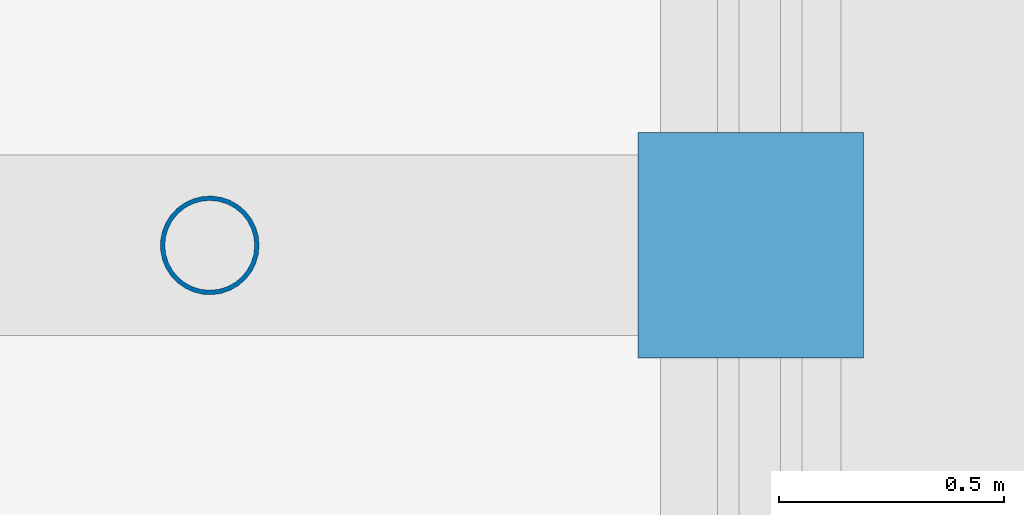
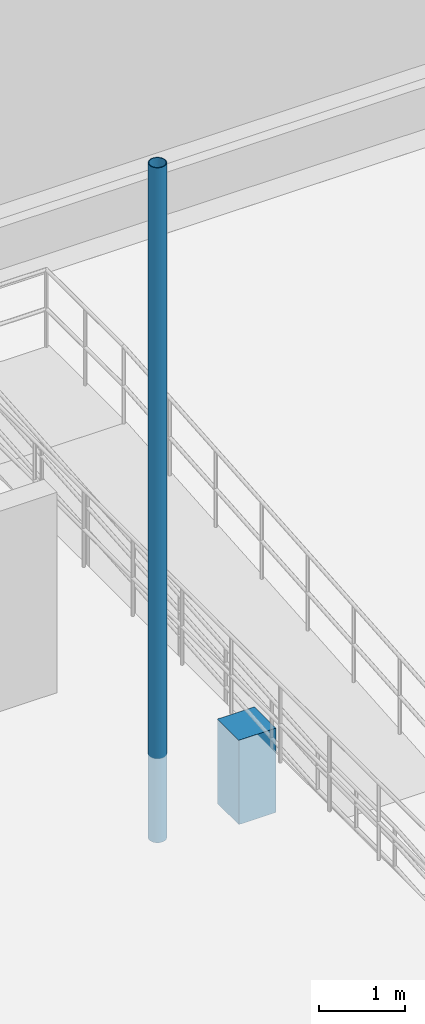
# One storey, part 13 of 138: 2 columns.
"""IFC4 building model written with IfcOpenShell, lengths in metres."""

from ifc_helpers import new_model, si_unit, direction, frame, origin, origin_2d, place, context, subcontext, project, spatial, rectangle, hollow_circle, extrude, material, material_profile, profile_set, type_object, element, save


model = new_model("IFC4")

# Units and contexts
model_context = context("Model", 3, precision=1e-05, world=origin(), true_north=direction((0.0, 1.0)))
body_context = subcontext(model_context, "Body", "Model", "MODEL_VIEW")
ifc_project = project(units=[si_unit("LENGTHUNIT", "METRE"), si_unit("AREAUNIT", "SQUARE_METRE"), si_unit("VOLUMEUNIT", "CUBIC_METRE"), si_unit("PLANEANGLEUNIT", "RADIAN"), si_unit("MASSUNIT", "GRAM", prefix="KILO")], contexts=[model_context])

# Site, building, storey
site_placement = place(None, origin())
site = spatial("IfcSite", under=ifc_project, at=site_placement, CompositionType="ELEMENT")
building_placement = place(site_placement, origin())
building = spatial("IfcBuilding", under=site, at=building_placement, Name="Zwinboog Wholesale Market", CompositionType="ELEMENT")
storey_placement = place(building_placement, origin())
storey = spatial("IfcBuildingStorey", under=building, at=storey_placement, Name="L00", CompositionType="ELEMENT", Elevation=0.0)

# Columns
ifc_material_1 = material(Name="Precast concrete C45/55", Category="concrete")
ifc_material_profile_1 = material_profile(ifc_material_1, rectangle(XDim=0.5, YDim=0.5, at=origin_2d()), Name="PC 500x500")
ifc_profile_set_1 = profile_set([ifc_material_profile_1], Name="Precast concrete C45/55")
column_type_1 = type_object("IfcColumnType", Name="CT-06", PredefinedType="COLUMN", material=ifc_profile_set_1)
column_1_placement = place(storey_placement, frame((183.60009765625, 86.39990234375, -1.199951171875), z_axis=(0.0, 0.0, 1.0), x_axis=(1.0, 0.0, 0.0)))
element("IfcColumn", 1, at=column_1_placement, inside=storey, type_object=column_type_1, Name="C-06 (COL-L00-0449)", PredefinedType="COLUMN", context=body_context, shape_type="SweptSolid", body=[
    extrude(rectangle(XDim=0.5, YDim=0.5, at=origin_2d()), origin(), (0.0, 0.0, 1.0), 1.199951171875),
])
ifc_material_2 = material(Name="Steel S355", Category="steel")
ifc_material_profile_2 = material_profile(ifc_material_2, hollow_circle(Radius=0.109619140625, WallThickness=0.010009765625, at=origin_2d()), Name="CHS 219.1x10")
ifc_profile_set_2 = profile_set([ifc_material_profile_2], Name="Steel S355")
column_type_2 = type_object("IfcColumnType", Name="CT-11", PredefinedType="PILASTER", material=ifc_profile_set_2)
column_2_placement = place(storey_placement, frame((182.39990234375, 86.39990234375, -1.199951171875), z_axis=(0.0, 0.0, 1.0), x_axis=(1.0, 0.0, 0.0)))
element("IfcColumn", 2, at=column_2_placement, inside=storey, type_object=column_type_2, Name="CS-03 (COL-CAN-04)", PredefinedType="PILASTER", context=body_context, shape_type="SweptSolid", body=[
    extrude(hollow_circle(Radius=0.109619140625, WallThickness=0.010009765625, at=origin_2d()), origin(), (0.0, 0.0, 1.0), 9.599853515625),
])

save(model, "model.ifc")
